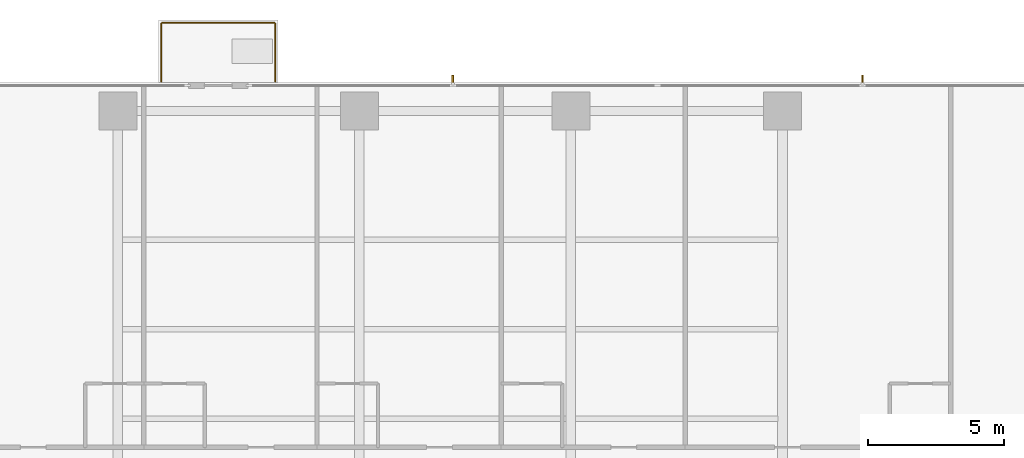
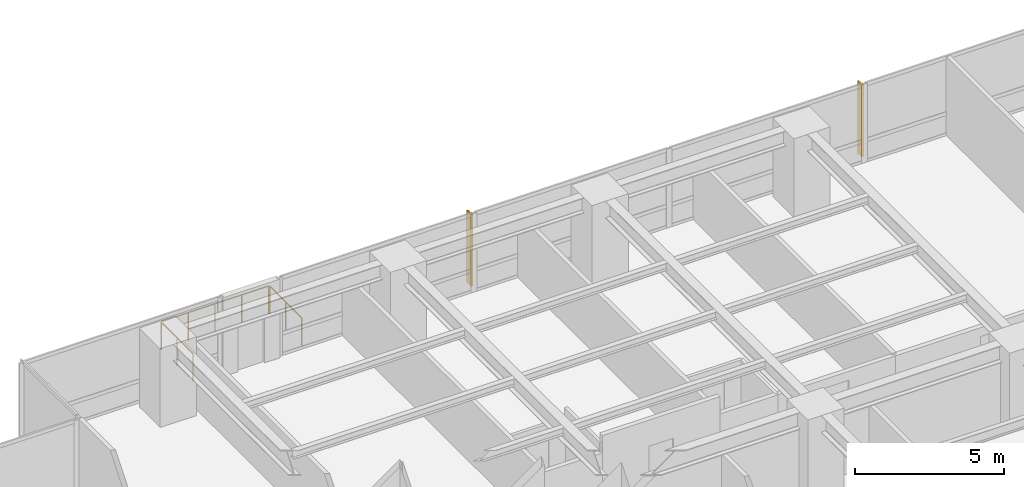
# One storey, part 17 of 17: 3 railings, 2 shading devices.
"""IFC4 building model written with IfcOpenShell, lengths in metres."""

from ifc_helpers import new_model, si_unit, direction, frame, origin, origin_2d, place, context, subcontext, project, spatial, polyline, circle, outline, extrude, material, layer, layer_set, type_object, element, save


model = new_model("IFC4")

# Units and contexts
model_context = context("Model", 3, precision=1e-05, world=origin(), true_north=direction((0.0, 1.0)))
body_context = subcontext(model_context, "Body", "Model", "MODEL_VIEW")
ifc_project = project(units=[si_unit("LENGTHUNIT", "METRE"), si_unit("AREAUNIT", "SQUARE_METRE"), si_unit("VOLUMEUNIT", "CUBIC_METRE"), si_unit("PLANEANGLEUNIT", "RADIAN"), si_unit("MASSUNIT", "GRAM", prefix="KILO")], contexts=[model_context])

# Site, building, storey
site_placement = place(None, origin())
site = spatial("IfcSite", under=ifc_project, at=site_placement, CompositionType="ELEMENT")
building_placement = place(site_placement, origin())
building = spatial("IfcBuilding", under=site, at=building_placement, Name="Qalmaran Belvedere Hotel", CompositionType="ELEMENT")
storey_placement = place(building_placement, frame((0.0, 0.0, 33.39990234375)))
storey = spatial("IfcBuildingStorey", under=building, at=storey_placement, Name="L07", CompositionType="ELEMENT", Elevation=33.39990234375)

# Shading devices
ifc_material = material(Name="Anodised Bronze Aluminium", Category="aluminium")
ifc_layer = layer(ifc_material, 0.06494140625, Name="Anodised Bronze Aluminium")
ifc_layer_set = layer_set([ifc_layer], Name="Anodised Bronze Aluminium")
shading_device_type = type_object("IfcShadingDeviceType", Name="FIN-BRNZ-300", PredefinedType="USERDEFINED", material=ifc_layer_set)
shading_device_1_placement = place(storey_placement, frame((0.0, 0.0, 0.16015625)))
element("IfcShadingDevice", 1, at=shading_device_1_placement, inside=storey, type_object=shading_device_type, Name="L07 Bronze Fin 1", ObjectType="FIN", PredefinedType="USERDEFINED", context=body_context, shape_type="SweptSolid", body=[
    extrude(outline(polyline([(47.782470703125, 48.472412109375), (47.782470703125, 48.7724609375), (47.717529296875, 48.7724609375), (47.717529296875, 48.472412109375), (47.782470703125, 48.472412109375)])), origin(), (0.0, 0.0, 1.0), 2.93994140625),
])
shading_device_2_placement = place(storey_placement, frame((0.0, 0.0, 0.16015625)))
element("IfcShadingDevice", 2, at=shading_device_2_placement, inside=storey, type_object=shading_device_type, Name="L07 Bronze Fin 3", ObjectType="FIN", PredefinedType="USERDEFINED", context=body_context, shape_type="SweptSolid", body=[
    extrude(outline(polyline([(32.6826171875, 48.472412109375), (32.6826171875, 48.7724609375), (32.617431640625, 48.7724609375), (32.617431640625, 48.472412109375), (32.6826171875, 48.472412109375)])), origin(), (0.0, 0.0, 1.0), 2.93994140625),
])

# Railings
railing_type = type_object("IfcRailingType", Name="GRD-BAL-1150", PredefinedType="BALUSTRADE", material=ifc_material)
railing_1_placement = place(storey_placement, frame((21.89990234375, 48.534912109375, 0.0)))
element("IfcRailing", 3, at=railing_1_placement, inside=storey, type_object=railing_type, Name="L07 Guardrail BAL-L07-N-1", PredefinedType="BALUSTRADE", context=body_context, shape_type="SweptSolid", body=[
    extrude(circle(Radius=0.02392578125, at=origin_2d()), frame((0.0, 0.0, 1.1259765625), z_axis=(0.0, 1.0, 0.0), x_axis=(-1.0, 0.0, 0.0)), (0.0, 0.0, 1.0), 2.130126953125),
    extrude(circle(Radius=0.02099609375, at=origin_2d()), origin(), (0.0, 0.0, 1.0), 1.101806640625),
    extrude(circle(Radius=0.02099609375, at=origin_2d()), frame((0.0, 1.06494140625, 0.0)), (0.0, 0.0, 1.0), 1.101806640625),
    extrude(circle(Radius=0.02099609375, at=origin_2d()), frame((0.0, 2.130126953125, 0.0)), (0.0, 0.0, 1.0), 1.101806640625),
])
railing_2_placement = place(storey_placement, frame((21.93505859375, 50.699951171875, 0.0)))
element("IfcRailing", 4, at=railing_2_placement, inside=storey, type_object=railing_type, Name="L07 Guardrail BAL-L07-N-2", PredefinedType="BALUSTRADE", context=body_context, shape_type="SweptSolid", body=[
    extrude(circle(Radius=0.02392578125, at=origin_2d()), frame((0.0, 0.0, 1.1259765625), z_axis=(1.0, 0.0, 0.0), x_axis=(0.0, 1.0, 0.0)), (0.0, 0.0, 1.0), 4.1298828125),
    extrude(circle(Radius=0.02099609375, at=origin_2d()), origin(), (0.0, 0.0, 1.0), 1.101806640625),
    extrude(circle(Radius=0.02099609375, at=origin_2d()), frame((1.032470703125, 0.0, 0.0)), (0.0, 0.0, 1.0), 1.101806640625),
    extrude(circle(Radius=0.02099609375, at=origin_2d()), frame((2.06494140625, 0.0, 0.0)), (0.0, 0.0, 1.0), 1.101806640625),
    extrude(circle(Radius=0.02099609375, at=origin_2d()), frame((3.097412109375, 0.0, 0.0)), (0.0, 0.0, 1.0), 1.101806640625),
    extrude(circle(Radius=0.02099609375, at=origin_2d()), frame((4.1298828125, 0.0, 0.0)), (0.0, 0.0, 1.0), 1.101806640625),
])
railing_3_placement = place(storey_placement, frame((26.10009765625, 50.6650390625, 0.0)))
element("IfcRailing", 5, at=railing_3_placement, inside=storey, type_object=railing_type, Name="L07 Guardrail BAL-L07-N-3", PredefinedType="BALUSTRADE", context=body_context, shape_type="SweptSolid", body=[
    extrude(circle(Radius=0.02392578125, at=origin_2d()), frame((0.0, 0.0, 1.1259765625), z_axis=(0.0, -1.0, 0.0), x_axis=(1.0, 0.0, 0.0)), (0.0, 0.0, 1.0), 2.130126953125),
    extrude(circle(Radius=0.02099609375, at=origin_2d()), origin(), (0.0, 0.0, 1.0), 1.101806640625),
    extrude(circle(Radius=0.02099609375, at=origin_2d()), frame((0.0, -1.06494140625, 0.0)), (0.0, 0.0, 1.0), 1.101806640625),
    extrude(circle(Radius=0.02099609375, at=origin_2d()), frame((0.0, -2.130126953125, 0.0)), (0.0, 0.0, 1.0), 1.101806640625),
])

save(model, "model.ifc")
